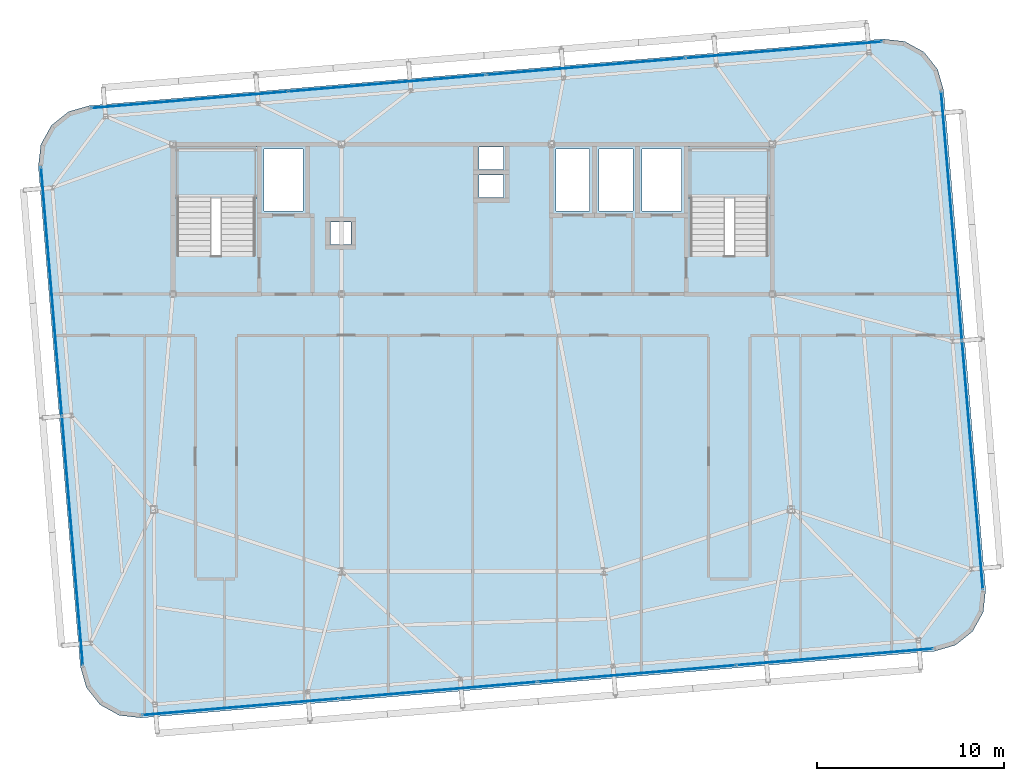
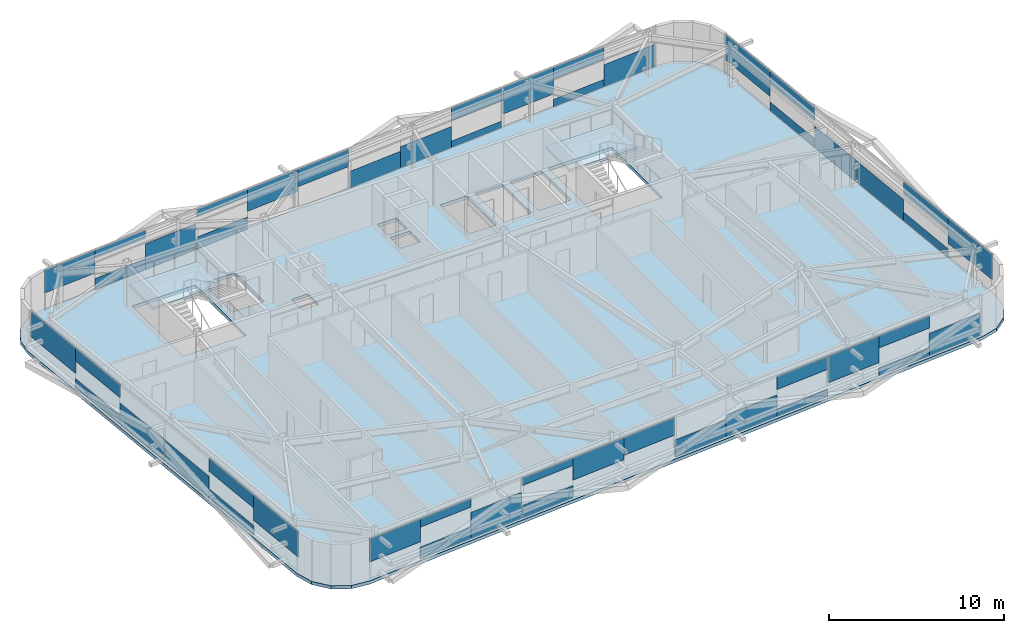
# One storey, part 26 of 39: 48 plates, 3 slabs, 6 elements without a shape of their own.
"""IFC4 building model written with IfcOpenShell, lengths in metres."""

from ifc_helpers import new_model, si_unit, direction, frame, origin, origin_2d, place, context, subcontext, project, spatial, polyline, rectangle, outline, extrude, source, transform, mapped, material, layer, layer_set, type_object, element, aggregate, save


model = new_model("IFC4")

# Units and contexts
model_context = context("Model", 3, precision=1e-05, world=origin(), true_north=direction((0.0, 1.0)))
body_context = subcontext(model_context, "Body", "Model", "MODEL_VIEW")
ifc_project = project(units=[si_unit("LENGTHUNIT", "METRE"), si_unit("AREAUNIT", "SQUARE_METRE"), si_unit("VOLUMEUNIT", "CUBIC_METRE"), si_unit("PLANEANGLEUNIT", "RADIAN"), si_unit("MASSUNIT", "GRAM", prefix="KILO")], contexts=[model_context])

# Site, building, storey
site_placement = place(None, origin())
site = spatial("IfcSite", under=ifc_project, at=site_placement, CompositionType="ELEMENT")
building_placement = place(site_placement, origin())
building = spatial("IfcBuilding", under=site, at=building_placement, Name="Taldren Reach Tower", CompositionType="ELEMENT")
storey_placement = place(building_placement, frame((0.0, 0.0, 204.050048828125)))
storey = spatial("IfcBuildingStorey", under=building, at=storey_placement, Name="L62", CompositionType="ELEMENT", Elevation=204.050048828125)

# Slab
ifc_material_1 = material(Name="Concrete N40 (40 MPa)", Category="concrete")
ifc_layer_1 = layer(ifc_material_1, 0.219970703125)
ifc_layer_set_1 = layer_set([ifc_layer_1], Name="Concrete N40 (40 MPa)")
slab_type_1 = type_object("IfcSlabType", Name="SL-FLR-220", PredefinedType="FLOOR", material=ifc_layer_set_1)
slab_1_placement = place(storey_placement, frame((0.0, 0.0, -0.219970703125)))
element("IfcSlab", 1, at=slab_1_placement, inside=storey, type_object=slab_type_1, Name="Suspended floor slab L62", PredefinedType="FLOOR", context=body_context, shape_type="SweptSolid", body=[
    extrude(outline(polyline([(59.647705078125, 4.935791015625), (60.772705078125, 5.25927734375), (61.688232421875, 5.98876953125), (62.254638671875, 7.012939453125), (62.38623046875, 8.17626953125), (60.1435546875, 34.882080078125), (59.820068359375, 36.007080078125), (59.090576171875, 36.922607421875), (58.06640625, 37.4892578125), (56.903076171875, 37.62060546875), (14.55224609375, 34.064208984375), (13.42724609375, 33.74072265625), (12.511962890625, 33.01123046875), (11.9453125, 31.987060546875), (11.813720703125, 30.82373046875), (14.056396484375, 4.117919921875), (14.3798828125, 2.992919921875), (15.109375, 2.077392578125), (16.1337890625, 1.5107421875), (17.296875, 1.37939453125), (59.647705078125, 4.935791015625)]), holes=[polyline([(19.219970703125, 26.050048828125), (23.3798828125, 26.050048828125), (23.3798828125, 31.820068359375), (19.219970703125, 31.820068359375), (19.219970703125, 26.050048828125)]), polyline([(46.6201171875, 26.050048828125), (50.780029296875, 26.050048828125), (50.780029296875, 31.820068359375), (46.6201171875, 31.820068359375), (46.6201171875, 26.050048828125)]), polyline([(23.85009765625, 28.449951171875), (25.949951171875, 28.449951171875), (25.949951171875, 31.75), (23.85009765625, 31.75), (23.85009765625, 28.449951171875)]), polyline([(44.050048828125, 28.449951171875), (46.14990234375, 28.449951171875), (46.14990234375, 31.75), (44.050048828125, 31.75), (44.050048828125, 28.449951171875)]), polyline([(39.449951171875, 28.449951171875), (41.25, 28.449951171875), (41.25, 31.75), (39.449951171875, 31.75), (39.449951171875, 28.449951171875)]), polyline([(41.75, 28.449951171875), (43.550048828125, 28.449951171875), (43.550048828125, 31.75), (41.75, 31.75), (41.75, 28.449951171875)]), polyline([(35.35009765625, 30.64990234375), (36.64990234375, 30.64990234375), (36.64990234375, 31.85009765625), (35.35009765625, 31.85009765625), (35.35009765625, 30.64990234375)]), polyline([(35.35009765625, 29.14990234375), (36.64990234375, 29.14990234375), (36.64990234375, 30.35009765625), (35.35009765625, 30.35009765625), (35.35009765625, 29.14990234375)]), polyline([(27.39990234375, 26.64990234375), (28.5, 26.64990234375), (28.5, 27.85009765625), (27.39990234375, 27.85009765625), (27.39990234375, 26.64990234375)])]), origin(), (0.0, 0.0, 1.0), 0.219970703125),
])

# Stair, slab
ifc_material_2 = material(Name="Concrete S50 (50 MPa)", Category="concrete")
stair_type = type_object("IfcStairType", Name="ST-HT-315", PredefinedType="HALF_TURN_STAIR", material=ifc_material_2)
stair_1_placement = place(storey_placement, origin())
stair_1 = element("IfcStair", 2, at=stair_1_placement, inside=storey, type_object=stair_type, Name="Fire-isolated exit stair ST1 L62", PredefinedType="HALF_TURN_STAIR")
ifc_layer_2 = layer(ifc_material_2, 0.179931640625)
ifc_layer_set_2 = layer_set([ifc_layer_2], Name="Concrete S50 (50 MPa)")
slab_type_2 = type_object("IfcSlabType", Name="SL-LAND-180", PredefinedType="LANDING", material=ifc_layer_set_2)
slab_2_placement = place(storey_placement, frame((0.0, 0.0, 1.39501953125)))
slab_2 = element("IfcSlab", 3, at=slab_2_placement, type_object=slab_type_2, Name="ST1 landing 1", PredefinedType="LANDING", context=body_context, shape_type="SweptSolid", body=[
    extrude(outline(polyline([(19.0400390625, 29.135009765625), (23.56005859375, 29.135009765625), (23.56005859375, 31.8701171875), (19.0400390625, 31.8701171875), (19.0400390625, 29.135009765625)])), origin(), (0.0, 0.0, 1.0), 0.179931640625),
])
aggregate(stair_1, [slab_2])

stair_2_placement = place(storey_placement, origin())
stair_2 = element("IfcStair", 4, at=stair_2_placement, inside=storey, type_object=stair_type, Name="Fire-isolated exit stair ST2 L62", PredefinedType="HALF_TURN_STAIR")
slab_3_placement = place(storey_placement, frame((0.0, 0.0, 1.39501953125)))
slab_3 = element("IfcSlab", 5, at=slab_3_placement, type_object=slab_type_2, Name="ST2 landing 1", PredefinedType="LANDING", context=body_context, shape_type="SweptSolid", body=[
    extrude(outline(polyline([(46.43994140625, 29.135009765625), (50.9599609375, 29.135009765625), (50.9599609375, 31.8701171875), (46.43994140625, 31.8701171875), (46.43994140625, 29.135009765625)])), origin(), (0.0, 0.0, 1.0), 0.179931640625),
])
aggregate(stair_2, [slab_3])

# Curtain wall, plate
ifc_material_3 = material(Name="Aluminium and Low-E Glass Unitised System", Category="aluminium")
ifc_layer_3 = layer(ifc_material_3, 0.159912109375)
ifc_layer_set_3 = layer_set([ifc_layer_3], Name="Aluminium and Low-E Glass Unitised System")
curtain_wall_type = type_object("IfcCurtainWallType", Name="CW-SYS-5", PredefinedType="NOTDEFINED", material=ifc_layer_set_3)
curtain_wall_1_placement = place(storey_placement, origin())
curtain_wall_1 = element("IfcCurtainWall", 6, at=curtain_wall_1_placement, inside=storey, type_object=curtain_wall_type, Name="Unitised curtain wall CW-L62-S", PredefinedType="NOTDEFINED")
ifc_material_4 = material(Name="Acoustic Triple-Laminated IGU", Category="glass")
ifc_layer_4 = layer(ifc_material_4, 0.035888671875)
ifc_layer_set_4 = layer_set([ifc_layer_4], Name="Acoustic Triple-Laminated IGU")
plate_type = type_object("IfcPlateType", Name="CW-PNL-IGU36", PredefinedType="CURTAIN_PANEL", material=ifc_layer_set_4)
shared_shape_1 = source(origin(), body_context, "Body", "SweptSolid", [
    extrude(rectangle(XDim=3.506591796875, YDim=0.035888671875, at=origin_2d()), origin(), (0.0, 0.0, 1.0), 1.593017578125),
])
plate_1_placement = place(storey_placement, frame((19.10205078125, 1.67138671875, 1.216796875), z_axis=(0.0, 0.0, 1.0), x_axis=(0.996492854922, 0.083677894865, 0.0)))
plate_1 = element("IfcPlate", 7, at=plate_1_placement, type_object=plate_type, Name="CW-5 panel 1.1 part 1", PredefinedType="CURTAIN_PANEL", context=body_context, shape_type="MappedRepresentation", body=[
    mapped(shared_shape_1, transform((0.0, 0.0, 0.0), scale=1.0)),
])

curtain_wall_2_placement = place(storey_placement, origin())
curtain_wall_2 = element("IfcCurtainWall", 8, at=curtain_wall_2_placement, inside=storey, type_object=curtain_wall_type, Name="Unitised curtain wall CW-L62-N", PredefinedType="NOTDEFINED")
plate_2_placement = place(storey_placement, frame((16.380859375, 34.077392578125, 1.216796875), z_axis=(0.0, 0.0, 1.0), x_axis=(-0.99649285657, -0.083677875247, 0.0)))
plate_2 = element("IfcPlate", 9, at=plate_2_placement, type_object=plate_type, Name="CW-5 panel 4.1 part 4", PredefinedType="CURTAIN_PANEL", context=body_context, shape_type="MappedRepresentation", body=[
    mapped(shared_shape_1, transform((0.0, 0.0, 0.0), scale=1.0)),
])

# Plate
shared_shape_2 = source(origin(), body_context, "Body", "SweptSolid", [
    extrude(rectangle(XDim=3.506591796875, YDim=0.035888671875, at=origin_2d()), origin(), (0.0, 0.0, 1.0), 0.77197265625),
])
plate_3_placement = place(storey_placement, frame((22.596435546875, 1.96484375, 0.06005859375), z_axis=(0.0, 0.0, 1.0), x_axis=(0.996492854922, 0.083677894865, 0.0)))
plate_3 = element("IfcPlate", 10, at=plate_3_placement, type_object=plate_type, Name="CW-5 panel 1.1 part 2", PredefinedType="CURTAIN_PANEL", context=body_context, shape_type="MappedRepresentation", body=[
    mapped(shared_shape_2, transform((0.0, 0.0, 0.0), scale=1.0)),
])

plate_4_placement = place(storey_placement, frame((19.875244140625, 34.370849609375, 0.06005859375), z_axis=(0.0, 0.0, 1.0), x_axis=(-0.99649285657, -0.083677875247, 0.0)))
plate_4 = element("IfcPlate", 11, at=plate_4_placement, type_object=plate_type, Name="CW-5 panel 4.1 part 2", PredefinedType="CURTAIN_PANEL", context=body_context, shape_type="MappedRepresentation", body=[
    mapped(shared_shape_2, transform((0.0, 0.0, 0.0), scale=1.0)),
])

shared_shape_3 = source(origin(), body_context, "Body", "SweptSolid", [
    extrude(rectangle(XDim=3.506591796875, YDim=0.035888671875, at=origin_2d()), origin(), (0.0, 0.0, 1.0), 0.5771484375),
])
plate_5_placement = place(storey_placement, frame((22.596435546875, 1.96484375, 2.23291015625), z_axis=(0.0, 0.0, 1.0), x_axis=(0.996492854922, 0.083677894865, 0.0)))
plate_5 = element("IfcPlate", 12, at=plate_5_placement, type_object=plate_type, Name="CW-5 panel 1.1 part 3", PredefinedType="CURTAIN_PANEL", context=body_context, shape_type="MappedRepresentation", body=[
    mapped(shared_shape_3, transform((0.0, 0.0, 0.0), scale=1.0)),
])

plate_6_placement = place(storey_placement, frame((19.875244140625, 34.370849609375, 2.23291015625), z_axis=(0.0, 0.0, 1.0), x_axis=(-0.99649285657, -0.083677875247, 0.0)))
plate_6 = element("IfcPlate", 13, at=plate_6_placement, type_object=plate_type, Name="CW-5 panel 4.1 part 3", PredefinedType="CURTAIN_PANEL", context=body_context, shape_type="MappedRepresentation", body=[
    mapped(shared_shape_3, transform((0.0, 0.0, 0.0), scale=1.0)),
])

shared_shape_4 = source(origin(), body_context, "Body", "SweptSolid", [
    extrude(rectangle(XDim=3.506591796875, YDim=0.035888671875, at=origin_2d()), origin(), (0.0, 0.0, 1.0), 1.7880859375),
])
plate_7_placement = place(storey_placement, frame((26.0908203125, 2.25830078125, 0.06005859375), z_axis=(0.0, 0.0, 1.0), x_axis=(0.996492854922, 0.083677894865, 0.0)))
plate_7 = element("IfcPlate", 14, at=plate_7_placement, type_object=plate_type, Name="CW-5 panel 1.1 part 4", PredefinedType="CURTAIN_PANEL", context=body_context, shape_type="MappedRepresentation", body=[
    mapped(shared_shape_4, transform((0.0, 0.0, 0.0), scale=1.0)),
])

plate_8_placement = place(storey_placement, frame((23.36962890625, 34.664306640625, 0.06005859375), z_axis=(0.0, 0.0, 1.0), x_axis=(-0.99649285657, -0.083677875247, 0.0)))
plate_8 = element("IfcPlate", 15, at=plate_8_placement, type_object=plate_type, Name="CW-5 panel 4.1 part 1", PredefinedType="CURTAIN_PANEL", context=body_context, shape_type="MappedRepresentation", body=[
    mapped(shared_shape_4, transform((0.0, 0.0, 0.0), scale=1.0)),
])

shared_shape_5 = source(origin(), body_context, "Body", "SweptSolid", [
    extrude(rectangle(XDim=3.518310546875, YDim=0.035888671875, at=origin_2d()), origin(), (0.0, 0.0, 1.0), 0.83154296875),
])
plate_9_placement = place(storey_placement, frame((29.66064453125, 2.55810546875, 0.059814453125), z_axis=(0.0, 0.0, 1.0), x_axis=(0.996492854922, 0.083677894865, 0.0)))
plate_9 = element("IfcPlate", 16, at=plate_9_placement, type_object=plate_type, Name="CW-5 panel 2.1 part 1", PredefinedType="CURTAIN_PANEL", context=body_context, shape_type="MappedRepresentation", body=[
    mapped(shared_shape_5, transform((0.0, 0.0, 0.0), scale=1.0)),
])

plate_10_placement = place(storey_placement, frame((26.939453125, 34.964111328125, 0.059814453125), z_axis=(0.0, 0.0, 1.0), x_axis=(-0.99649285657, -0.083677875247, 0.0)))
plate_10 = element("IfcPlate", 17, at=plate_10_placement, type_object=plate_type, Name="CW-5 panel 3.1 part 3", PredefinedType="CURTAIN_PANEL", context=body_context, shape_type="MappedRepresentation", body=[
    mapped(shared_shape_5, transform((0.0, 0.0, 0.0), scale=1.0)),
])

shared_shape_6 = source(origin(), body_context, "Body", "SweptSolid", [
    extrude(rectangle(XDim=3.518310546875, YDim=0.035888671875, at=origin_2d()), origin(), (0.0, 0.0, 1.0), 0.514404296875),
])
plate_11_placement = place(storey_placement, frame((29.66064453125, 2.55810546875, 2.29541015625), z_axis=(0.0, 0.0, 1.0), x_axis=(0.996492854922, 0.083677894865, 0.0)))
plate_11 = element("IfcPlate", 18, at=plate_11_placement, type_object=plate_type, Name="CW-5 panel 2.1 part 2", PredefinedType="CURTAIN_PANEL", context=body_context, shape_type="MappedRepresentation", body=[
    mapped(shared_shape_6, transform((0.0, 0.0, 0.0), scale=1.0)),
])

plate_12_placement = place(storey_placement, frame((26.939453125, 34.964111328125, 2.29541015625), z_axis=(0.0, 0.0, 1.0), x_axis=(-0.99649285657, -0.083677875247, 0.0)))
plate_12 = element("IfcPlate", 19, at=plate_12_placement, type_object=plate_type, Name="CW-5 panel 3.1 part 4", PredefinedType="CURTAIN_PANEL", context=body_context, shape_type="MappedRepresentation", body=[
    mapped(shared_shape_6, transform((0.0, 0.0, 0.0), scale=1.0)),
])

shared_shape_7 = source(origin(), body_context, "Body", "SweptSolid", [
    extrude(rectangle(XDim=3.518310546875, YDim=0.035888671875, at=origin_2d()), origin(), (0.0, 0.0, 1.0), 1.53369140625),
])
plate_13_placement = place(storey_placement, frame((33.166748046875, 2.8525390625, 1.2763671875), z_axis=(0.0, 0.0, 1.0), x_axis=(0.996492854922, 0.083677894865, 0.0)))
plate_13 = element("IfcPlate", 20, at=plate_13_placement, type_object=plate_type, Name="CW-5 panel 2.1 part 3", PredefinedType="CURTAIN_PANEL", context=body_context, shape_type="MappedRepresentation", body=[
    mapped(shared_shape_7, transform((0.0, 0.0, 0.0), scale=1.0)),
])

plate_14_placement = place(storey_placement, frame((30.445556640625, 35.258544921875, 1.2763671875), z_axis=(0.0, 0.0, 1.0), x_axis=(-0.99649285657, -0.083677875247, 0.0)))
plate_14 = element("IfcPlate", 21, at=plate_14_placement, type_object=plate_type, Name="CW-5 panel 3.1 part 2", PredefinedType="CURTAIN_PANEL", context=body_context, shape_type="MappedRepresentation", body=[
    mapped(shared_shape_7, transform((0.0, 0.0, 0.0), scale=1.0)),
])

shared_shape_8 = source(origin(), body_context, "Body", "SweptSolid", [
    extrude(rectangle(XDim=3.518310546875, YDim=0.035888671875, at=origin_2d()), origin(), (0.0, 0.0, 1.0), 1.22265625),
])
plate_15_placement = place(storey_placement, frame((36.672607421875, 3.14697265625, 1.587158203125), z_axis=(0.0, 0.0, 1.0), x_axis=(0.996492854922, 0.083677894865, 0.0)))
plate_15 = element("IfcPlate", 22, at=plate_15_placement, type_object=plate_type, Name="CW-5 panel 2.1 part 4", PredefinedType="CURTAIN_PANEL", context=body_context, shape_type="MappedRepresentation", body=[
    mapped(shared_shape_8, transform((0.0, 0.0, 0.0), scale=1.0)),
])

plate_16_placement = place(storey_placement, frame((33.951416015625, 35.552734375, 1.587158203125), z_axis=(0.0, 0.0, 1.0), x_axis=(-0.99649285657, -0.083677875247, 0.0)))
plate_16 = element("IfcPlate", 23, at=plate_16_placement, type_object=plate_type, Name="CW-5 panel 3.1 part 1", PredefinedType="CURTAIN_PANEL", context=body_context, shape_type="MappedRepresentation", body=[
    mapped(shared_shape_8, transform((0.0, 0.0, 0.0), scale=1.0)),
])

shared_shape_9 = source(origin(), body_context, "Body", "SweptSolid", [
    extrude(rectangle(XDim=3.518310546875, YDim=0.035888671875, at=origin_2d()), origin(), (0.0, 0.0, 1.0), 1.162841796875),
])
plate_17_placement = place(storey_placement, frame((40.24853515625, 3.447265625, 0.06005859375), z_axis=(0.0, 0.0, 1.0), x_axis=(0.996492854922, 0.083677894865, 0.0)))
plate_17 = element("IfcPlate", 24, at=plate_17_placement, type_object=plate_type, Name="CW-5 panel 3.1 part 1", PredefinedType="CURTAIN_PANEL", context=body_context, shape_type="MappedRepresentation", body=[
    mapped(shared_shape_9, transform((0.0, 0.0, 0.0), scale=1.0)),
])

plate_18_placement = place(storey_placement, frame((37.52734375, 35.85302734375, 0.06005859375), z_axis=(0.0, 0.0, 1.0), x_axis=(-0.99649285657, -0.083677875247, 0.0)))
plate_18 = element("IfcPlate", 25, at=plate_18_placement, type_object=plate_type, Name="CW-5 panel 2.1 part 4", PredefinedType="CURTAIN_PANEL", context=body_context, shape_type="MappedRepresentation", body=[
    mapped(shared_shape_9, transform((0.0, 0.0, 0.0), scale=1.0)),
])

shared_shape_10 = source(origin(), body_context, "Body", "SweptSolid", [
    extrude(rectangle(XDim=3.518310546875, YDim=0.035888671875, at=origin_2d()), origin(), (0.0, 0.0, 1.0), 1.4736328125),
])
plate_19_placement = place(storey_placement, frame((43.75439453125, 3.741455078125, 0.06005859375), z_axis=(0.0, 0.0, 1.0), x_axis=(0.996492854922, 0.083677894865, 0.0)))
plate_19 = element("IfcPlate", 26, at=plate_19_placement, type_object=plate_type, Name="CW-5 panel 3.1 part 2", PredefinedType="CURTAIN_PANEL", context=body_context, shape_type="MappedRepresentation", body=[
    mapped(shared_shape_10, transform((0.0, 0.0, 0.0), scale=1.0)),
])

plate_20_placement = place(storey_placement, frame((41.033203125, 36.1474609375, 0.06005859375), z_axis=(0.0, 0.0, 1.0), x_axis=(-0.99649285657, -0.083677875247, 0.0)))
plate_20 = element("IfcPlate", 27, at=plate_20_placement, type_object=plate_type, Name="CW-5 panel 2.1 part 3", PredefinedType="CURTAIN_PANEL", context=body_context, shape_type="MappedRepresentation", body=[
    mapped(shared_shape_10, transform((0.0, 0.0, 0.0), scale=1.0)),
])

shared_shape_11 = source(origin(), body_context, "Body", "SweptSolid", [
    extrude(rectangle(XDim=3.518310546875, YDim=0.035888671875, at=origin_2d()), origin(), (0.0, 0.0, 1.0), 0.454345703125),
])
plate_21_placement = place(storey_placement, frame((47.260498046875, 4.035888671875, 0.06005859375), z_axis=(0.0, 0.0, 1.0), x_axis=(0.996492854922, 0.083677894865, 0.0)))
plate_21 = element("IfcPlate", 28, at=plate_21_placement, type_object=plate_type, Name="CW-5 panel 3.1 part 3", PredefinedType="CURTAIN_PANEL", context=body_context, shape_type="MappedRepresentation", body=[
    mapped(shared_shape_11, transform((0.0, 0.0, 0.0), scale=1.0)),
])

plate_22_placement = place(storey_placement, frame((44.539306640625, 36.44189453125, 0.06005859375), z_axis=(0.0, 0.0, 1.0), x_axis=(-0.99649285657, -0.083677875247, 0.0)))
plate_22 = element("IfcPlate", 29, at=plate_22_placement, type_object=plate_type, Name="CW-5 panel 2.1 part 1", PredefinedType="CURTAIN_PANEL", context=body_context, shape_type="MappedRepresentation", body=[
    mapped(shared_shape_11, transform((0.0, 0.0, 0.0), scale=1.0)),
])

shared_shape_12 = source(origin(), body_context, "Body", "SweptSolid", [
    extrude(rectangle(XDim=3.518310546875, YDim=0.035888671875, at=origin_2d()), origin(), (0.0, 0.0, 1.0), 0.891357421875),
])
plate_23_placement = place(storey_placement, frame((47.260498046875, 4.035888671875, 1.91845703125), z_axis=(0.0, 0.0, 1.0), x_axis=(0.996492854922, 0.083677894865, 0.0)))
plate_23 = element("IfcPlate", 30, at=plate_23_placement, type_object=plate_type, Name="CW-5 panel 3.1 part 4", PredefinedType="CURTAIN_PANEL", context=body_context, shape_type="MappedRepresentation", body=[
    mapped(shared_shape_12, transform((0.0, 0.0, 0.0), scale=1.0)),
])

plate_24_placement = place(storey_placement, frame((44.539306640625, 36.44189453125, 1.91845703125), z_axis=(0.0, 0.0, 1.0), x_axis=(-0.99649285657, -0.083677875247, 0.0)))
plate_24 = element("IfcPlate", 31, at=plate_24_placement, type_object=plate_type, Name="CW-5 panel 2.1 part 2", PredefinedType="CURTAIN_PANEL", context=body_context, shape_type="MappedRepresentation", body=[
    mapped(shared_shape_12, transform((0.0, 0.0, 0.0), scale=1.0)),
])

shared_shape_13 = source(origin(), body_context, "Body", "SweptSolid", [
    extrude(rectangle(XDim=3.506591796875, YDim=0.035888671875, at=origin_2d()), origin(), (0.0, 0.0, 1.0), 1.84814453125),
])
plate_25_placement = place(storey_placement, frame((50.830322265625, 4.335693359375, 0.9619140625), z_axis=(0.0, 0.0, 1.0), x_axis=(0.996492854922, 0.083677894865, 0.0)))
plate_25 = element("IfcPlate", 32, at=plate_25_placement, type_object=plate_type, Name="CW-5 panel 4.1 part 1", PredefinedType="CURTAIN_PANEL", context=body_context, shape_type="MappedRepresentation", body=[
    mapped(shared_shape_13, transform((0.0, 0.0, 0.0), scale=1.0)),
])

plate_26_placement = place(storey_placement, frame((48.109130859375, 36.74169921875, 0.9619140625), z_axis=(0.0, 0.0, 1.0), x_axis=(-0.99649285657, -0.083677875247, 0.0)))
plate_26 = element("IfcPlate", 33, at=plate_26_placement, type_object=plate_type, Name="CW-5 panel 1.1 part 4", PredefinedType="CURTAIN_PANEL", context=body_context, shape_type="MappedRepresentation", body=[
    mapped(shared_shape_13, transform((0.0, 0.0, 0.0), scale=1.0)),
])

shared_shape_14 = source(origin(), body_context, "Body", "SweptSolid", [
    extrude(rectangle(XDim=3.506591796875, YDim=0.035888671875, at=origin_2d()), origin(), (0.0, 0.0, 1.0), 0.51708984375),
])
plate_27_placement = place(storey_placement, frame((54.32470703125, 4.629150390625, 0.06005859375), z_axis=(0.0, 0.0, 1.0), x_axis=(0.996492854922, 0.083677894865, 0.0)))
plate_27 = element("IfcPlate", 34, at=plate_27_placement, type_object=plate_type, Name="CW-5 panel 4.1 part 2", PredefinedType="CURTAIN_PANEL", context=body_context, shape_type="MappedRepresentation", body=[
    mapped(shared_shape_14, transform((0.0, 0.0, 0.0), scale=1.0)),
])

plate_28_placement = place(storey_placement, frame((51.603515625, 37.03515625, 0.06005859375), z_axis=(0.0, 0.0, 1.0), x_axis=(-0.99649285657, -0.083677875247, 0.0)))
plate_28 = element("IfcPlate", 35, at=plate_28_placement, type_object=plate_type, Name="CW-5 panel 1.1 part 2", PredefinedType="CURTAIN_PANEL", context=body_context, shape_type="MappedRepresentation", body=[
    mapped(shared_shape_14, transform((0.0, 0.0, 0.0), scale=1.0)),
])

shared_shape_15 = source(origin(), body_context, "Body", "SweptSolid", [
    extrude(rectangle(XDim=3.506591796875, YDim=0.035888671875, at=origin_2d()), origin(), (0.0, 0.0, 1.0), 0.83203125),
])
plate_29_placement = place(storey_placement, frame((54.32470703125, 4.629150390625, 1.977783203125), z_axis=(0.0, 0.0, 1.0), x_axis=(0.996492854922, 0.083677894865, 0.0)))
plate_29 = element("IfcPlate", 36, at=plate_29_placement, type_object=plate_type, Name="CW-5 panel 4.1 part 3", PredefinedType="CURTAIN_PANEL", context=body_context, shape_type="MappedRepresentation", body=[
    mapped(shared_shape_15, transform((0.0, 0.0, 0.0), scale=1.0)),
])

plate_30_placement = place(storey_placement, frame((51.603515625, 37.03515625, 1.977783203125), z_axis=(0.0, 0.0, 1.0), x_axis=(-0.99649285657, -0.083677875247, 0.0)))
plate_30 = element("IfcPlate", 37, at=plate_30_placement, type_object=plate_type, Name="CW-5 panel 1.1 part 3", PredefinedType="CURTAIN_PANEL", context=body_context, shape_type="MappedRepresentation", body=[
    mapped(shared_shape_15, transform((0.0, 0.0, 0.0), scale=1.0)),
])

shared_shape_16 = source(origin(), body_context, "Body", "SweptSolid", [
    extrude(rectangle(XDim=3.506591796875, YDim=0.035888671875, at=origin_2d()), origin(), (0.0, 0.0, 1.0), 1.533203125),
])
plate_31_placement = place(storey_placement, frame((57.819091796875, 4.922607421875, 0.059814453125), z_axis=(0.0, 0.0, 1.0), x_axis=(0.996492854922, 0.083677894865, 0.0)))
plate_31 = element("IfcPlate", 38, at=plate_31_placement, type_object=plate_type, Name="CW-5 panel 4.1 part 4", PredefinedType="CURTAIN_PANEL", context=body_context, shape_type="MappedRepresentation", body=[
    mapped(shared_shape_16, transform((0.0, 0.0, 0.0), scale=1.0)),
])

aggregate(curtain_wall_1, [plate_1, plate_3, plate_5, plate_7, plate_9, plate_11, plate_13, plate_15, plate_17, plate_19, plate_21, plate_23, plate_25, plate_27, plate_29, plate_31])

plate_32_placement = place(storey_placement, frame((55.097900390625, 37.32861328125, 0.059814453125), z_axis=(0.0, 0.0, 1.0), x_axis=(-0.99649285657, -0.083677875247, 0.0)))
plate_32 = element("IfcPlate", 39, at=plate_32_placement, type_object=plate_type, Name="CW-5 panel 1.1 part 1", PredefinedType="CURTAIN_PANEL", context=body_context, shape_type="MappedRepresentation", body=[
    mapped(shared_shape_16, transform((0.0, 0.0, 0.0), scale=1.0)),
])

aggregate(curtain_wall_2, [plate_32, plate_28, plate_30, plate_26, plate_22, plate_24, plate_20, plate_18, plate_16, plate_14, plate_10, plate_12, plate_8, plate_4, plate_6, plate_2])

# Curtain wall, plates
curtain_wall_3_placement = place(storey_placement, origin())
curtain_wall_3 = element("IfcCurtainWall", 40, at=curtain_wall_3_placement, inside=storey, type_object=curtain_wall_type, Name="Unitised curtain wall CW-L62-W", PredefinedType="NOTDEFINED")
shared_shape_17 = source(origin(), body_context, "Body", "SweptSolid", [
    extrude(rectangle(XDim=4.431640625, YDim=0.035888671875, at=origin_2d()), origin(), (0.0, 0.0, 1.0), 1.76025390625),
])
plate_33_placement = place(storey_placement, frame((12.14453125, 28.5576171875, 1.0498046875), z_axis=(0.0, 0.0, 1.0), x_axis=(0.083677979808, -0.996492847789, 0.0)))
plate_33 = element("IfcPlate", 41, at=plate_33_placement, type_object=plate_type, Name="CW-5 panel 1.1 part 1", PredefinedType="CURTAIN_PANEL", context=body_context, shape_type="MappedRepresentation", body=[
    mapped(shared_shape_17, transform((0.0, 0.0, 0.0), scale=1.0)),
])
plate_34_placement = place(storey_placement, frame((14.004638671875, 6.4072265625, 1.0498046875), z_axis=(0.0, 0.0, 1.0), x_axis=(0.083677979808, -0.996492847789, 0.0)))
plate_34 = element("IfcPlate", 42, at=plate_34_placement, type_object=plate_type, Name="CW-5 panel 2.1 part 4", PredefinedType="CURTAIN_PANEL", context=body_context, shape_type="MappedRepresentation", body=[
    mapped(shared_shape_17, transform((0.0, 0.0, 0.0), scale=1.0)),
])

curtain_wall_4_placement = place(storey_placement, origin())
curtain_wall_4 = element("IfcCurtainWall", 43, at=curtain_wall_4_placement, inside=storey, type_object=curtain_wall_type, Name="Unitised curtain wall CW-L62-E", PredefinedType="NOTDEFINED")
plate_35_placement = place(storey_placement, frame((62.055419921875, 10.4423828125, 1.0498046875), z_axis=(0.0, 0.0, 1.0), x_axis=(-0.083677979808, 0.996492847789, 0.0)))
plate_35 = element("IfcPlate", 44, at=plate_35_placement, type_object=plate_type, Name="CW-5 panel 1.1 part 1", PredefinedType="CURTAIN_PANEL", context=body_context, shape_type="MappedRepresentation", body=[
    mapped(shared_shape_17, transform((0.0, 0.0, 0.0), scale=1.0)),
])
plate_36_placement = place(storey_placement, frame((60.1953125, 32.5927734375, 1.0498046875), z_axis=(0.0, 0.0, 1.0), x_axis=(-0.083677979808, 0.996492847789, 0.0)))
plate_36 = element("IfcPlate", 45, at=plate_36_placement, type_object=plate_type, Name="CW-5 panel 2.1 part 4", PredefinedType="CURTAIN_PANEL", context=body_context, shape_type="MappedRepresentation", body=[
    mapped(shared_shape_17, transform((0.0, 0.0, 0.0), scale=1.0)),
])

# Plate
shared_shape_18 = source(origin(), body_context, "Body", "SweptSolid", [
    extrude(rectangle(XDim=4.431640625, YDim=0.035888671875, at=origin_2d()), origin(), (0.0, 0.0, 1.0), 0.613037109375),
])
plate_37_placement = place(storey_placement, frame((12.515380859375, 24.1416015625, 0.06005859375), z_axis=(0.0, 0.0, 1.0), x_axis=(0.083677979808, -0.996492847789, 0.0)))
plate_37 = element("IfcPlate", 46, at=plate_37_placement, type_object=plate_type, Name="CW-5 panel 1.1 part 2", PredefinedType="CURTAIN_PANEL", context=body_context, shape_type="MappedRepresentation", body=[
    mapped(shared_shape_18, transform((0.0, 0.0, 0.0), scale=1.0)),
])

plate_38_placement = place(storey_placement, frame((13.6337890625, 10.823486328125, 0.06005859375), z_axis=(0.0, 0.0, 1.0), x_axis=(0.083677979808, -0.996492847789, 0.0)))
plate_38 = element("IfcPlate", 47, at=plate_38_placement, type_object=plate_type, Name="CW-5 panel 2.1 part 2", PredefinedType="CURTAIN_PANEL", context=body_context, shape_type="MappedRepresentation", body=[
    mapped(shared_shape_18, transform((0.0, 0.0, 0.0), scale=1.0)),
])

plate_39_placement = place(storey_placement, frame((61.6845703125, 14.8583984375, 0.06005859375), z_axis=(0.0, 0.0, 1.0), x_axis=(-0.083677979808, 0.996492847789, 0.0)))
plate_39 = element("IfcPlate", 48, at=plate_39_placement, type_object=plate_type, Name="CW-5 panel 1.1 part 2", PredefinedType="CURTAIN_PANEL", context=body_context, shape_type="MappedRepresentation", body=[
    mapped(shared_shape_18, transform((0.0, 0.0, 0.0), scale=1.0)),
])

plate_40_placement = place(storey_placement, frame((60.566162109375, 28.176513671875, 0.06005859375), z_axis=(0.0, 0.0, 1.0), x_axis=(-0.083677979808, 0.996492847789, 0.0)))
plate_40 = element("IfcPlate", 49, at=plate_40_placement, type_object=plate_type, Name="CW-5 panel 2.1 part 2", PredefinedType="CURTAIN_PANEL", context=body_context, shape_type="MappedRepresentation", body=[
    mapped(shared_shape_18, transform((0.0, 0.0, 0.0), scale=1.0)),
])

shared_shape_19 = source(origin(), body_context, "Body", "SweptSolid", [
    extrude(rectangle(XDim=4.431640625, YDim=0.035888671875, at=origin_2d()), origin(), (0.0, 0.0, 1.0), 0.8994140625),
])
plate_41_placement = place(storey_placement, frame((12.515380859375, 24.1416015625, 1.91064453125), z_axis=(0.0, 0.0, 1.0), x_axis=(0.083677979808, -0.996492847789, 0.0)))
plate_41 = element("IfcPlate", 50, at=plate_41_placement, type_object=plate_type, Name="CW-5 panel 1.1 part 3", PredefinedType="CURTAIN_PANEL", context=body_context, shape_type="MappedRepresentation", body=[
    mapped(shared_shape_19, transform((0.0, 0.0, 0.0), scale=1.0)),
])

plate_42_placement = place(storey_placement, frame((13.6337890625, 10.823486328125, 1.91064453125), z_axis=(0.0, 0.0, 1.0), x_axis=(0.083677979808, -0.996492847789, 0.0)))
plate_42 = element("IfcPlate", 51, at=plate_42_placement, type_object=plate_type, Name="CW-5 panel 2.1 part 3", PredefinedType="CURTAIN_PANEL", context=body_context, shape_type="MappedRepresentation", body=[
    mapped(shared_shape_19, transform((0.0, 0.0, 0.0), scale=1.0)),
])

plate_43_placement = place(storey_placement, frame((61.6845703125, 14.8583984375, 1.91064453125), z_axis=(0.0, 0.0, 1.0), x_axis=(-0.083677979808, 0.996492847789, 0.0)))
plate_43 = element("IfcPlate", 52, at=plate_43_placement, type_object=plate_type, Name="CW-5 panel 1.1 part 3", PredefinedType="CURTAIN_PANEL", context=body_context, shape_type="MappedRepresentation", body=[
    mapped(shared_shape_19, transform((0.0, 0.0, 0.0), scale=1.0)),
])

plate_44_placement = place(storey_placement, frame((60.566162109375, 28.176513671875, 1.91064453125), z_axis=(0.0, 0.0, 1.0), x_axis=(-0.083677979808, 0.996492847789, 0.0)))
plate_44 = element("IfcPlate", 53, at=plate_44_placement, type_object=plate_type, Name="CW-5 panel 2.1 part 3", PredefinedType="CURTAIN_PANEL", context=body_context, shape_type="MappedRepresentation", body=[
    mapped(shared_shape_19, transform((0.0, 0.0, 0.0), scale=1.0)),
])

shared_shape_20 = source(origin(), body_context, "Body", "SweptSolid", [
    extrude(rectangle(XDim=4.431640625, YDim=0.035888671875, at=origin_2d()), origin(), (0.0, 0.0, 1.0), 1.473876953125),
])
plate_45_placement = place(storey_placement, frame((12.88623046875, 19.7255859375, 0.06005859375), z_axis=(0.0, 0.0, 1.0), x_axis=(0.083677979808, -0.996492847789, 0.0)))
plate_45 = element("IfcPlate", 54, at=plate_45_placement, type_object=plate_type, Name="CW-5 panel 1.1 part 4", PredefinedType="CURTAIN_PANEL", context=body_context, shape_type="MappedRepresentation", body=[
    mapped(shared_shape_20, transform((0.0, 0.0, 0.0), scale=1.0)),
])

plate_46_placement = place(storey_placement, frame((13.262939453125, 15.239501953125, 0.06005859375), z_axis=(0.0, 0.0, 1.0), x_axis=(0.083677979808, -0.996492847789, 0.0)))
plate_46 = element("IfcPlate", 55, at=plate_46_placement, type_object=plate_type, Name="CW-5 panel 2.1 part 1", PredefinedType="CURTAIN_PANEL", context=body_context, shape_type="MappedRepresentation", body=[
    mapped(shared_shape_20, transform((0.0, 0.0, 0.0), scale=1.0)),
])

aggregate(curtain_wall_3, [plate_33, plate_37, plate_41, plate_45, plate_46, plate_38, plate_42, plate_34])

plate_47_placement = place(storey_placement, frame((61.313720703125, 19.2744140625, 0.06005859375), z_axis=(0.0, 0.0, 1.0), x_axis=(-0.083677979808, 0.996492847789, 0.0)))
plate_47 = element("IfcPlate", 56, at=plate_47_placement, type_object=plate_type, Name="CW-5 panel 1.1 part 4", PredefinedType="CURTAIN_PANEL", context=body_context, shape_type="MappedRepresentation", body=[
    mapped(shared_shape_20, transform((0.0, 0.0, 0.0), scale=1.0)),
])

plate_48_placement = place(storey_placement, frame((60.93701171875, 23.760498046875, 0.06005859375), z_axis=(0.0, 0.0, 1.0), x_axis=(-0.083677979808, 0.996492847789, 0.0)))
plate_48 = element("IfcPlate", 57, at=plate_48_placement, type_object=plate_type, Name="CW-5 panel 2.1 part 1", PredefinedType="CURTAIN_PANEL", context=body_context, shape_type="MappedRepresentation", body=[
    mapped(shared_shape_20, transform((0.0, 0.0, 0.0), scale=1.0)),
])

aggregate(curtain_wall_4, [plate_35, plate_39, plate_43, plate_47, plate_48, plate_40, plate_44, plate_36])

save(model, "model.ifc")
